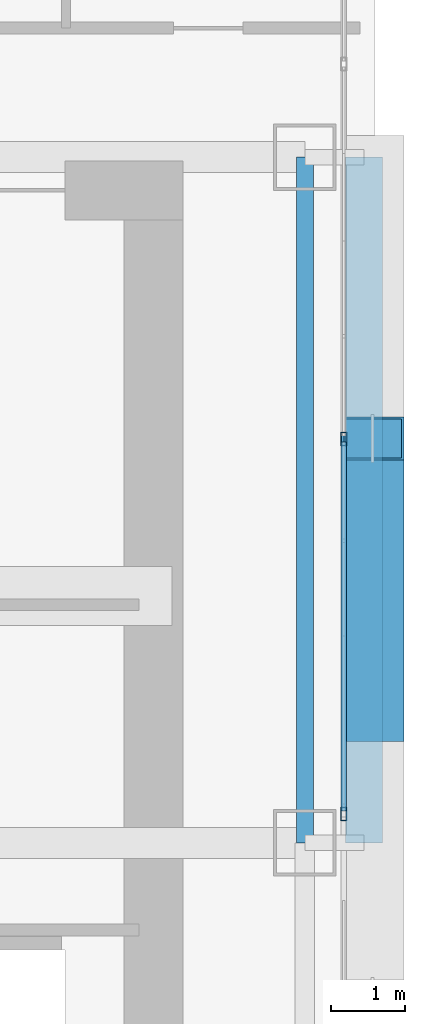
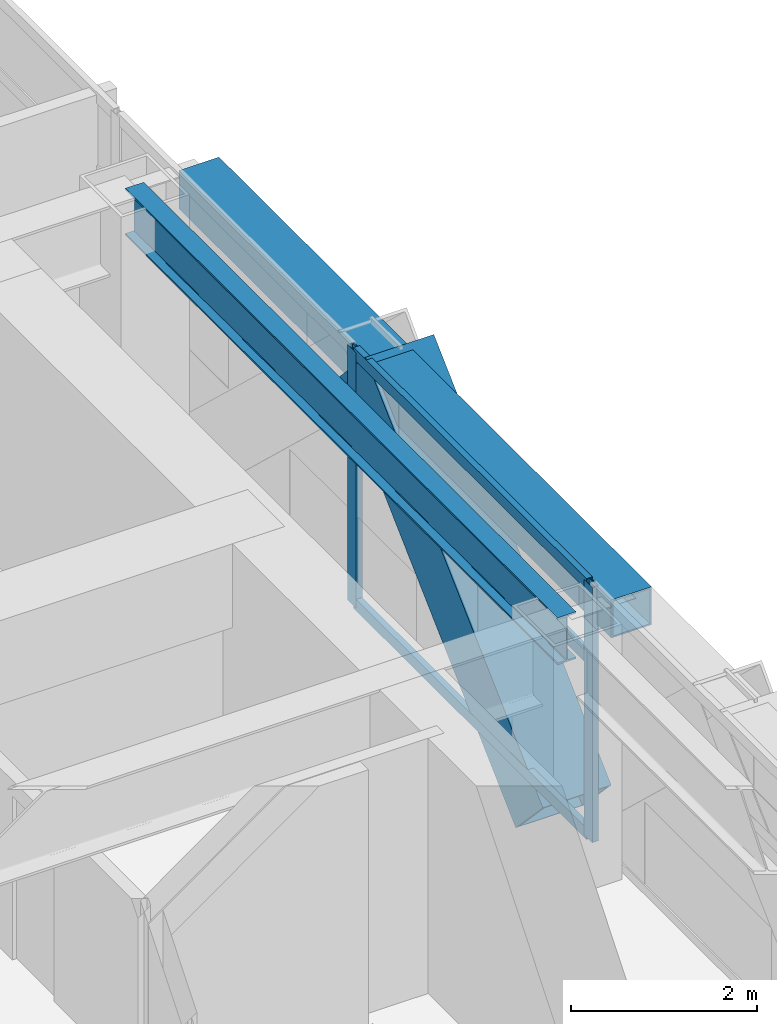
# One storey, part 15 of 35: 6 members, 2 beams, 1 element without a shape of its own.
"""IFC4 building model written with IfcOpenShell, lengths in metres."""

from ifc_helpers import new_model, si_unit, direction, frame, origin, origin_2d, place, context, subcontext, project, spatial, hollow_rectangle, i_section, extrude, source, transform, mapped, material, layer, layer_set, material_profile, profile_set, type_object, element, aggregate, save


model = new_model("IFC4")

# Units and contexts
model_context = context("Model", 3, precision=1e-05, world=origin(), true_north=direction((0.0, 1.0)))
body_context = subcontext(model_context, "Body", "Model", "MODEL_VIEW")
ifc_project = project(units=[si_unit("LENGTHUNIT", "METRE"), si_unit("AREAUNIT", "SQUARE_METRE"), si_unit("VOLUMEUNIT", "CUBIC_METRE"), si_unit("PLANEANGLEUNIT", "RADIAN"), si_unit("MASSUNIT", "GRAM", prefix="KILO")], contexts=[model_context])

# Site, building, storey
site_placement = place(None, origin())
site = spatial("IfcSite", under=ifc_project, at=site_placement, CompositionType="ELEMENT")
building_placement = place(site_placement, origin())
building = spatial("IfcBuilding", under=site, at=building_placement, Name="Ocotamira Hotel", CompositionType="ELEMENT")
storey_placement = place(building_placement, frame((0.0, 0.0, 56.39990234375)))
storey = spatial("IfcBuildingStorey", under=building, at=storey_placement, Name="L13", CompositionType="ELEMENT", Elevation=56.39990234375)

# Beams
ifc_material_1 = material(Name="Steel ASTM A992 Grade 50", Category="steel")
ifc_material_profile_1 = material_profile(ifc_material_1, i_section(OverallWidth=0.22998046875, OverallDepth=0.616943359375, WebThickness=0.01318359375, FlangeThickness=0.022216796875, FilletRadius=0.012939453125, at=origin_2d()), Name="W24X94")
ifc_profile_set_1 = profile_set([ifc_material_profile_1], Name="Steel ASTM A992 Grade 50")
beam_type_1 = type_object("IfcBeamType", Name="BM-PRIM-W24X94", PredefinedType="BEAM", material=ifc_profile_set_1)
shared_shape_1 = source(origin(), body_context, "Body", "SweptSolid", [
    extrude(i_section(OverallWidth=0.22998046875, OverallDepth=0.616943359375, WebThickness=0.01318359375, FlangeThickness=0.022216796875, FilletRadius=0.012939453125, at=origin_2d()), origin(), (0.0, 0.0, 1.0), 9.300048828125),
])
beam_1_placement = place(storey_placement, frame((55.050048828125, 28.14990234375, 3.04150390625), z_axis=(0.0, 1.0, 0.0), x_axis=(-1.0, 0.0, 0.0)))
element("IfcBeam", 1, at=beam_1_placement, inside=storey, type_object=beam_type_1, Name="L13 Beam X55.05 Y28.15-37.45", PredefinedType="BEAM", context=body_context, shape_type="MappedRepresentation", body=[
    mapped(shared_shape_1, transform((0.0, 0.0, 0.0), scale=1.0)),
])
ifc_material_2 = material(Name="Steel ASTM A500 Grade C", Category="steel")
ifc_material_profile_2 = material_profile(ifc_material_2, hollow_rectangle(XDim=0.5, YDim=0.5, WallThickness=0.02001953125, at=origin_2d()), Name="HSS500X500X20")
ifc_profile_set_2 = profile_set([ifc_material_profile_2], Name="Steel ASTM A500 Grade C")
beam_type_2 = type_object("IfcBeamType", Name="BM-SPAN-HSS500", PredefinedType="USERDEFINED", material=ifc_profile_set_2)
shared_shape_2 = source(origin(), body_context, "Body", "SweptSolid", [
    extrude(hollow_rectangle(XDim=0.5, YDim=0.5, WallThickness=0.02001953125, at=origin_2d()), origin(), (0.0, 0.0, 1.0), 9.300048828125),
])
beam_2_placement = place(storey_placement, frame((55.85009765625, 28.14990234375, 3.10009765625), z_axis=(0.0, 1.0, 0.0), x_axis=(-1.0, 0.0, 0.0)))
element("IfcBeam", 2, at=beam_2_placement, inside=storey, type_object=beam_type_2, Name="L13 Edge Spandrel E Y28.15-37.45", ObjectType="SPANDREL", PredefinedType="USERDEFINED", context=body_context, shape_type="MappedRepresentation", body=[
    mapped(shared_shape_2, transform((0.0, 0.0, 0.0), scale=1.0)),
])

# Member
ifc_material_3 = material(Name="Pale-metal coated steel ASTM A913 Grade 65", Category="steel")
ifc_material_profile_3 = material_profile(ifc_material_3, hollow_rectangle(XDim=0.85009765625, YDim=0.85009765625, WallThickness=0.035888671875, at=origin_2d()), Name="BOX850X850X36")
ifc_profile_set_3 = profile_set([ifc_material_profile_3], Name="Pale-metal coated steel ASTM A913 Grade 65")
member_type_1 = type_object("IfcMemberType", Name="MEM-EXO-BOX850", PredefinedType="BRACE", material=ifc_profile_set_3)
shared_shape_3 = source(origin(), body_context, "Body", "SweptSolid", [
    extrude(hollow_rectangle(XDim=0.85009765625, YDim=0.85009765625, WallThickness=0.035888671875, at=origin_2d()), origin(), (0.0, 0.0, 1.0), 5.24658203125),
])
member_1_placement = place(storey_placement, frame((55.969970703125, 29.816650390625, -0.5), z_axis=(0.0, 0.727442733726, 0.686168397078), x_axis=(-1.0, 0.0, 0.0)))
element("IfcMember", 3, at=member_1_placement, inside=storey, type_object=member_type_1, Name="L13 Exoskeleton Diagrid E2.1", PredefinedType="BRACE", context=body_context, shape_type="MappedRepresentation", body=[
    mapped(shared_shape_3, transform((0.0, 0.0, 0.0), scale=1.0)),
])

# Curtain wall, members
ifc_material_4 = material(Name="Anodised pale-metal aluminium and solar glass", Category="aluminium")
ifc_layer = layer(ifc_material_4, 0.179931640625)
ifc_layer_set = layer_set([ifc_layer], Name="Anodised pale-metal aluminium and solar glass")
curtain_wall_type = type_object("IfcCurtainWallType", Name="CW-SYS2-Z1", PredefinedType="NOTDEFINED", material=ifc_layer_set)
curtain_wall_placement = place(storey_placement, origin())
curtain_wall = element("IfcCurtainWall", 4, at=curtain_wall_placement, inside=storey, type_object=curtain_wall_type, Name="L13 Curtain Wall CW-2 CW-L13-E", PredefinedType="NOTDEFINED")
ifc_material_5 = material(Name="Anodised pale-metal aluminium 6063-T6", Category="aluminium")
ifc_material_profile_4 = material_profile(ifc_material_5, hollow_rectangle(XDim=0.074951171875, YDim=0.14990234375, WallThickness=0.006103515625, at=origin_2d()), Name="HSS150X75X6")
ifc_profile_set_4 = profile_set([ifc_material_profile_4], Name="Anodised pale-metal aluminium 6063-T6")
member_type_2 = type_object("IfcMemberType", Name="CWT-150X75", PredefinedType="USERDEFINED", material=ifc_profile_set_4)
shared_shape_4 = source(origin(), body_context, "Body", "SweptSolid", [
    extrude(hollow_rectangle(XDim=0.074951171875, YDim=0.14990234375, WallThickness=0.006103515625, at=origin_2d()), origin(), (0.0, 0.0, 1.0), 5.005859375),
])
member_2_placement = place(storey_placement, frame((55.580078125, 28.582763671875, 0.03759765625), z_axis=(0.0, 1.0, 0.0), x_axis=(-1.0, 0.0, 0.0)))
member_2 = element("IfcMember", 5, at=member_2_placement, type_object=member_type_2, Name="CW-2 transom 5.1", ObjectType="TRANSOM", PredefinedType="USERDEFINED", context=body_context, shape_type="MappedRepresentation", body=[
    mapped(shared_shape_4, transform((0.0, 0.0, 0.0), scale=1.0)),
])
member_3_placement = place(storey_placement, frame((55.580078125, 28.582763671875, 2.35009765625), z_axis=(0.0, 1.0, 0.0), x_axis=(-1.0, 0.0, 0.0)))
member_3 = element("IfcMember", 6, at=member_3_placement, type_object=member_type_2, Name="CW-2 transom 5.2", ObjectType="TRANSOM", PredefinedType="USERDEFINED", context=body_context, shape_type="MappedRepresentation", body=[
    mapped(shared_shape_4, transform((0.0, 0.0, 0.0), scale=1.0)),
])
member_4_placement = place(storey_placement, frame((55.580078125, 28.582763671875, 3.3125), z_axis=(0.0, 1.0, 0.0), x_axis=(-1.0, 0.0, 0.0)))
member_4 = element("IfcMember", 7, at=member_4_placement, type_object=member_type_2, Name="CW-2 transom 5.3", ObjectType="TRANSOM", PredefinedType="USERDEFINED", context=body_context, shape_type="MappedRepresentation", body=[
    mapped(shared_shape_4, transform((0.0, 0.0, 0.0), scale=1.0)),
])
ifc_material_profile_5 = material_profile(ifc_material_5, hollow_rectangle(XDim=0.080078125, YDim=0.179931640625, WallThickness=0.006103515625, at=origin_2d()), Name="HSS180X80X6")
ifc_profile_set_5 = profile_set([ifc_material_profile_5], Name="Anodised pale-metal aluminium 6063-T6")
member_type_3 = type_object("IfcMemberType", Name="CWM-180X75", PredefinedType="MULLION", material=ifc_profile_set_5)
shared_shape_5 = source(origin(), body_context, "Body", "SweptSolid", [
    extrude(hollow_rectangle(XDim=0.080078125, YDim=0.179931640625, WallThickness=0.006103515625, at=origin_2d()), origin(), (0.0, 0.0, 1.0), 3.35009765625),
])
member_5_placement = place(storey_placement, frame((55.580078125, 28.54296875, 0.0), z_axis=(0.0, 0.0, 1.0), x_axis=(-1.0, 0.0, 0.0)))
member_5 = element("IfcMember", 8, at=member_5_placement, type_object=member_type_3, Name="CW-2 mullion 5", PredefinedType="MULLION", context=body_context, shape_type="MappedRepresentation", body=[
    mapped(shared_shape_5, transform((0.0, 0.0, 0.0), scale=1.0)),
])
member_6_placement = place(storey_placement, frame((55.580078125, 33.628662109375, 0.0), z_axis=(0.0, 0.0, 1.0), x_axis=(-1.0, 0.0, 0.0)))
member_6 = element("IfcMember", 9, at=member_6_placement, type_object=member_type_3, Name="CW-2 mullion 6", PredefinedType="MULLION", context=body_context, shape_type="MappedRepresentation", body=[
    mapped(shared_shape_5, transform((0.0, 0.0, 0.0), scale=1.0)),
])
aggregate(curtain_wall, [member_5, member_6, member_2, member_3, member_4])

save(model, "model.ifc")
